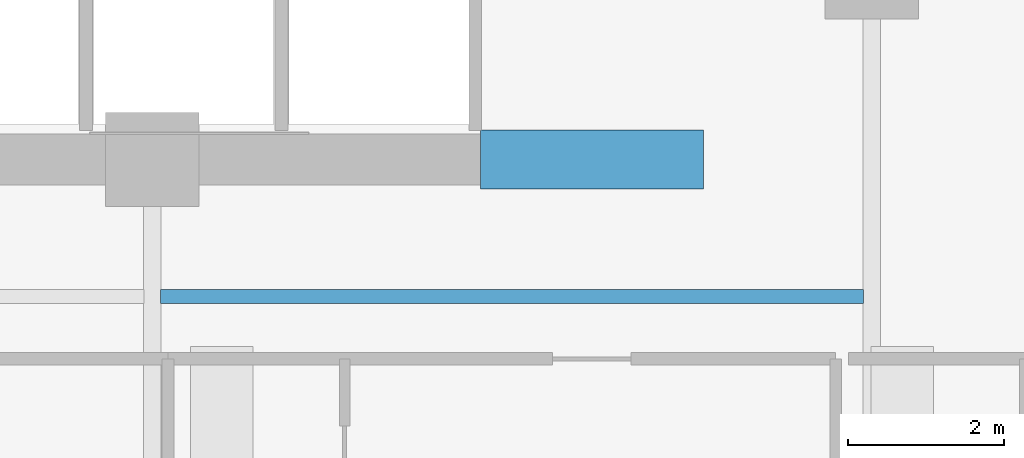
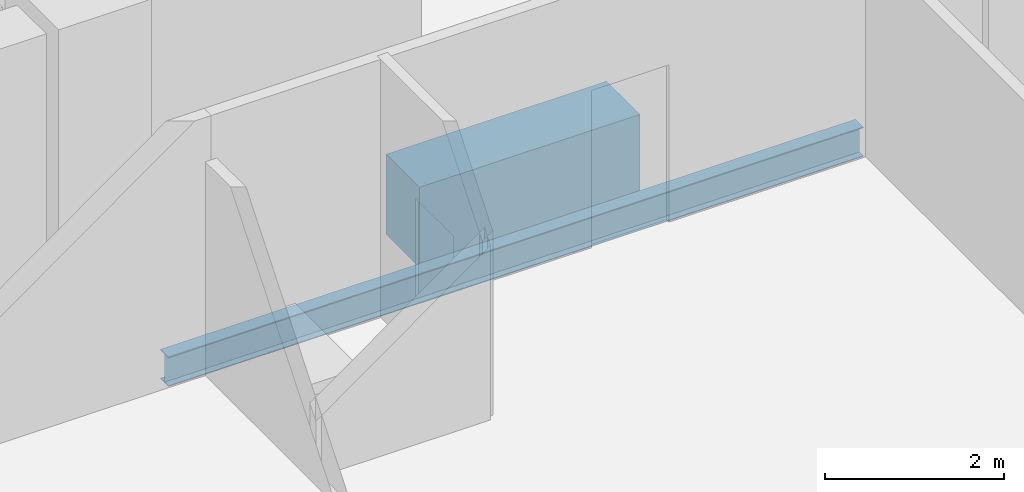
# One storey, part 11 of 32: 2 beams.
"""IFC4 building model written with IfcOpenShell, lengths in metres."""

from ifc_helpers import new_model, si_unit, direction, frame, origin, origin_2d, place, context, subcontext, project, spatial, rectangle, i_section, extrude, material, material_profile, profile_set, type_object, element, save


model = new_model("IFC4")

# Units and contexts
model_context = context("Model", 3, precision=1e-05, world=origin(), true_north=direction((0.0, 1.0)))
body_context = subcontext(model_context, "Body", "Model", "MODEL_VIEW")
ifc_project = project(units=[si_unit("LENGTHUNIT", "METRE"), si_unit("AREAUNIT", "SQUARE_METRE"), si_unit("VOLUMEUNIT", "CUBIC_METRE"), si_unit("PLANEANGLEUNIT", "RADIAN"), si_unit("MASSUNIT", "GRAM", prefix="KILO")], contexts=[model_context])

# Site, building, storey
site_placement = place(None, origin())
site = spatial("IfcSite", under=ifc_project, at=site_placement, CompositionType="ELEMENT")
building_placement = place(site_placement, origin())
building = spatial("IfcBuilding", under=site, at=building_placement, Name="Zuhayl Quay Hotel", CompositionType="ELEMENT")
storey_placement = place(building_placement, frame((0.0, 0.0, 177.39990234375)))
storey = spatial("IfcBuildingStorey", under=building, at=storey_placement, Name="L44", CompositionType="ELEMENT", Elevation=177.39990234375)

# Beams
ifc_material_1 = material(Name="Concrete C60/75", Category="concrete")
ifc_material_profile_1 = material_profile(ifc_material_1, rectangle(XDim=0.75, YDim=1.10009765625, at=origin_2d()), Name="RC750X1100")
ifc_profile_set_1 = profile_set([ifc_material_profile_1], Name="Concrete C60/75")
beam_type_1 = type_object("IfcBeamType", Name="BM_CB2_RC750", PredefinedType="T_BEAM", material=ifc_profile_set_1)
beam_1_placement = place(storey_placement, frame((8.800048828125, 2.14990234375, -0.77001953125), z_axis=(1.0, 0.0, 0.0), x_axis=(0.0, 1.0, 0.0)))
element("IfcBeam", 1, at=beam_1_placement, inside=storey, type_object=beam_type_1, Name="L44 Core Coupling Beam SE", PredefinedType="T_BEAM", context=body_context, shape_type="SweptSolid", body=[
    extrude(rectangle(XDim=0.75, YDim=1.10009765625, at=origin_2d()), origin(), (0.0, 0.0, 1.0), 2.849853515625),
])
ifc_material_2 = material(Name="Steel ASTM A992 Grade 50", Category="steel")
ifc_material_profile_2 = material_profile(ifc_material_2, i_section(OverallWidth=0.177978515625, OverallDepth=0.406005859375, WebThickness=0.0078125, FlangeThickness=0.0126953125, at=origin_2d()), Name="W16X40")
ifc_profile_set_2 = profile_set([ifc_material_profile_2], Name="Steel ASTM A992 Grade 50")
beam_type_2 = type_object("IfcBeamType", Name="BM_J2B_W16X40", PredefinedType="JOIST", material=ifc_profile_set_2)
beam_2_placement = place(storey_placement, frame((4.7060546875, 0.39990234375, -0.4228515625), z_axis=(1.0, 0.0, 0.0), x_axis=(0.0, 1.0, 0.0)))
element("IfcBeam", 2, at=beam_2_placement, inside=storey, type_object=beam_type_2, Name="L44 Floor Beam FJ_L44_8_3", PredefinedType="JOIST", context=body_context, shape_type="SweptSolid", body=[
    extrude(i_section(OverallWidth=0.177978515625, OverallDepth=0.406005859375, WebThickness=0.0078125, FlangeThickness=0.0126953125, at=origin_2d()), origin(), (0.0, 0.0, 1.0), 8.988037109375),
])

save(model, "model.ifc")
